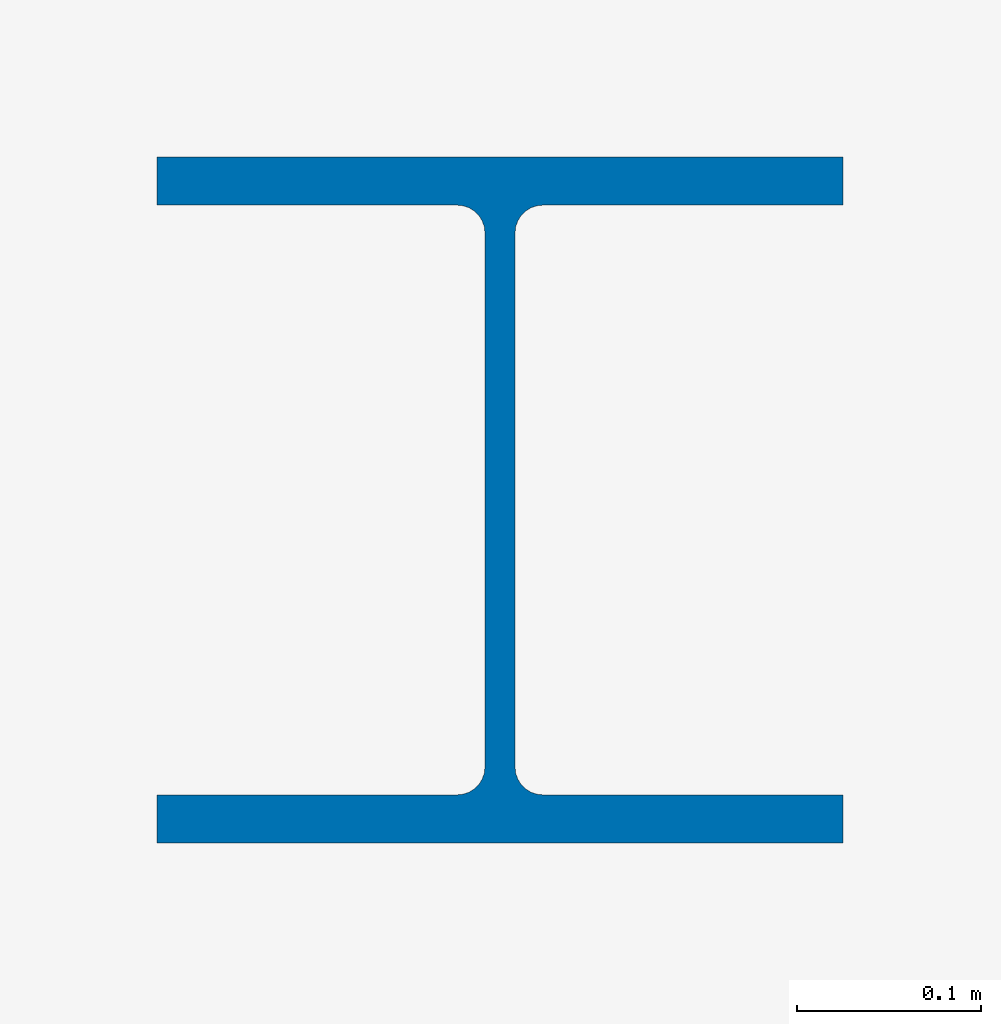
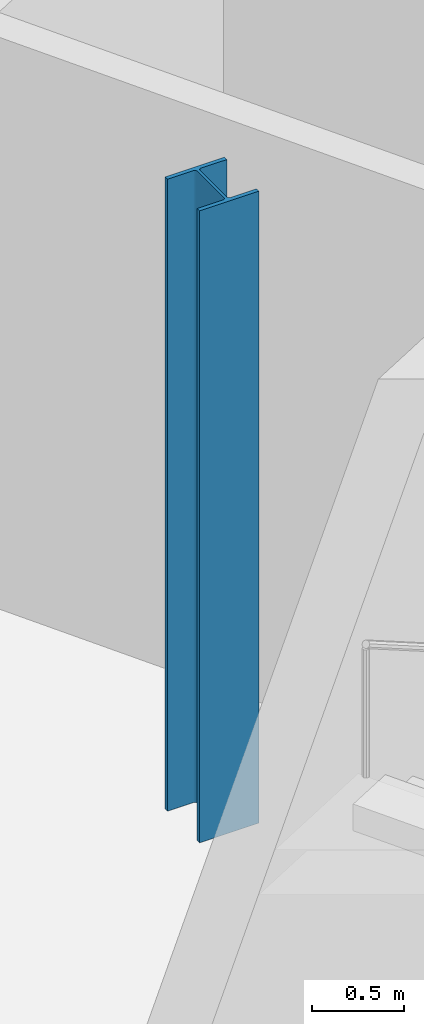
# One storey, part 1 of 16: 1 column.
"""IFC4 building model written with IfcOpenShell, lengths in metres."""

import ifcopenshell
import ifcopenshell.guid

model = None  # the IFC model being written
_history = None  # IfcOwnerHistory: only IFC2X3 demands one
_inside = {}  # id of a spatial element -> (the spatial element, [elements in it])
_under = {}  # id of a project, library or spatial element -> (it, [spatial elements below it])
_declared = {}  # id of a project -> (the project, [libraries it declares])
_typed = {}  # id of a type object -> (the type object, [elements of that type])
_made_of = {}  # id of a material, layer set ... -> (it, [elements and type objects made of it])


def new_model(schema):
    """Start an empty IFC model of exactly this schema.

    Asked for "IFC4X3", IfcOpenShell would pick the latest addendum, in which some entities
    have other attributes; the version numbers below select the first issue.
    IFC2X3 requires an IfcOwnerHistory on every rooted entity: one is made here for all.
    """
    global model, _history
    if schema == "IFC4X3":
        model = ifcopenshell.file(schema_version=(4, 3, 0, 0))
    else:
        model = ifcopenshell.file(schema=schema)
    _inside.clear()
    _under.clear()
    _declared.clear()
    _typed.clear()
    _made_of.clear()
    _history = None
    if model.schema == "IFC2X3":
        org = make("IfcOrganization", Name="unknown")
        user = make(
            "IfcPersonAndOrganization",
            ThePerson=make("IfcPerson", FamilyName="unknown"),
            TheOrganization=org,
        )
        app = make(
            "IfcApplication",
            ApplicationDeveloper=org,
            Version="unknown",
            ApplicationFullName="unknown",
            ApplicationIdentifier="unknown",
        )
        _history = make(
            "IfcOwnerHistory",
            OwningUser=user,
            OwningApplication=app,
            ChangeAction="ADDED",
            CreationDate=0,
        )
    return model


def make(cls, **values):
    """One entity of the class cls with the attributes given. An attribute that is None is left unset."""
    return model.create_entity(
        cls, **{name: value for name, value in values.items() if value is not None}
    )


def rooted(cls, **values):
    """An entity with a GlobalId (a new one), such as an element, a storey or a relation."""
    return make(cls, GlobalId=ifcopenshell.guid.new(), OwnerHistory=_history, **values)


def si_unit(unit_type, name, prefix=None):
    """IfcSIUnit, for example si_unit("LENGTHUNIT", "METRE", prefix="MILLI")."""
    return make("IfcSIUnit", UnitType=unit_type, Prefix=prefix, Name=name)


def assignment(units):
    """IfcUnitAssignment: the units of a project."""
    return None if units is None else make("IfcUnitAssignment", Units=units)


def point(xyz):
    """IfcCartesianPoint."""
    return None if xyz is None else make("IfcCartesianPoint", Coordinates=xyz)


def direction(xyz):
    """IfcDirection."""
    return None if xyz is None else make("IfcDirection", DirectionRatios=xyz)


def frame(location, z_axis=None, x_axis=None):
    """IfcAxis2Placement3D, a coordinate frame: its origin and axes. An axis left out is left unset."""
    return make(
        "IfcAxis2Placement3D",
        Location=point(location),
        Axis=direction(z_axis),
        RefDirection=direction(x_axis),
    )


def frame_2d(location, x_axis=None):
    """IfcAxis2Placement2D, a coordinate frame in the plane: its origin and x axis."""
    return make(
        "IfcAxis2Placement2D", Location=point(location), RefDirection=direction(x_axis)
    )


def origin():
    """The frame at (0, 0, 0) with its axes left unset."""
    return frame((0.0, 0.0, 0.0))


def origin_2d():
    """The frame at (0, 0) in the plane with its x axis left unset."""
    return frame_2d((0.0, 0.0))


def place(relative_to, where):
    """IfcLocalPlacement: puts the frame where relative to a parent placement (None: the world)."""
    return make(
        "IfcLocalPlacement", PlacementRelTo=relative_to, RelativePlacement=where
    )


def context(
    kind, dimensions, precision=None, world=None, true_north=None, identifier=None
):
    """IfcGeometricRepresentationContext, for example the 3D "Model" context."""
    return make(
        "IfcGeometricRepresentationContext",
        ContextIdentifier=identifier,
        ContextType=kind,
        CoordinateSpaceDimension=dimensions,
        Precision=precision,
        WorldCoordinateSystem=world,
        TrueNorth=true_north,
    )


def subcontext(parent, identifier, kind, view, scale=None):
    """IfcGeometricRepresentationSubContext, for example "Body" below "Model"."""
    return make(
        "IfcGeometricRepresentationSubContext",
        ContextIdentifier=identifier,
        ContextType=kind,
        ParentContext=parent,
        TargetScale=scale,
        TargetView=view,
    )


def project(units=None, contexts=None):
    """IfcProject with its units and contexts."""
    return rooted(
        "IfcProject",
        Name="project",
        RepresentationContexts=contexts,
        UnitsInContext=assignment(units),
    )


def spatial(cls, under=None, at=None, **own):
    """A site, building, storey or space (cls), placed at a placement, below another one or the project."""
    s = rooted(cls, ObjectPlacement=at, **own)
    if under is not None:
        _under.setdefault(under.id(), (under, []))[1].append(s)
    return s


def profile(cls, at=None, kind="AREA", **sizes):
    """A parametric profile (cls). Its sizes go by their IFC names, for example OverallWidth=200.0."""
    return make(cls, ProfileType=kind, Position=at, **sizes)


def i_section(**sizes):
    """IfcIShapeProfileDef."""
    return profile("IfcIShapeProfileDef", **sizes)


def extrude(swept, where, along, depth):
    """IfcExtrudedAreaSolid: the profile swept, set in the frame where, extruded along a direction by depth."""
    return make(
        "IfcExtrudedAreaSolid",
        SweptArea=swept,
        Position=where,
        ExtrudedDirection=direction(along),
        Depth=depth,
    )


def shape(context_of_items, identifier, shape_type, items):
    """IfcShapeRepresentation: the items that make up one representation, for example the "Body"."""
    return make(
        "IfcShapeRepresentation",
        ContextOfItems=context_of_items,
        RepresentationIdentifier=identifier,
        RepresentationType=shape_type,
        Items=items,
    )


def material(Name=None, Category=None):
    """IfcMaterial."""
    return make("IfcMaterial", Name=Name, Category=Category)


def material_profile(
    of_material, cross_section, Name=None, Category=None, Priority=None
):
    """IfcMaterialProfile: a cross section and its material."""
    return make(
        "IfcMaterialProfile",
        Name=Name,
        Material=of_material,
        Profile=cross_section,
        Priority=Priority,
        Category=Category,
    )


def profile_set(profiles, Name=None, composite=None):
    """IfcMaterialProfileSet."""
    return make(
        "IfcMaterialProfileSet",
        Name=Name,
        MaterialProfiles=profiles,
        CompositeProfile=composite,
    )


def made_of(thing, what):
    """Note that an element or type object is made of a material, layer set ...; save() writes the relation."""
    if what is not None:
        _made_of.setdefault(what.id(), (what, []))[1].append(thing)
    return thing


def type_object(cls, material=None, **own):
    """A type object (cls), such as IfcWallType, which elements share."""
    return made_of(rooted(cls, **own), material)


def element(
    cls,
    number,
    at=None,
    inside=None,
    cuts=None,
    type_object=None,
    material=None,
    context=None,
    identifier="Body",
    shape_type=None,
    held_by="IfcProductDefinitionShape",
    body=None,
    shapes=None,
    **own,
):
    """One element of the class cls, such as IfcWall. Its Tag is "e" and its number.

    at: its placement. inside: the storey or other place that contains it. cuts: it is an
    opening in that element (IfcRelVoidsElement). A single representation is given by context,
    identifier, shape_type and body (its items); several are given by shapes. held_by: the class
    of the entity that holds the representations. save() writes the other relations.
    """
    e = rooted(cls, Tag="e%d" % number, ObjectPlacement=at, **own)
    if body is not None:
        shapes = [shape(context, identifier, shape_type, body)]
    if shapes is not None:
        e.Representation = make(held_by, Representations=shapes)
    if inside is not None:
        _inside.setdefault(inside.id(), (inside, []))[1].append(e)
    if cuts is not None:
        rooted(
            "IfcRelVoidsElement", RelatingBuildingElement=cuts, RelatedOpeningElement=e
        )
    if type_object is not None:
        _typed.setdefault(type_object.id(), (type_object, []))[1].append(e)
    return made_of(e, material)


def aggregate(whole, parts):
    """IfcRelAggregates: a whole, such as a stair, and the parts it consists of."""
    return rooted("IfcRelAggregates", RelatingObject=whole, RelatedObjects=parts)


def save(model, path):
    """Write the relations noted so far, then the file.

    IfcRelAggregates (storeys below a building ...), IfcRelContainedInSpatialStructure (elements
    in a storey), IfcRelDefinesByType, IfcRelAssociatesMaterial and IfcRelDeclares: one each for
    every whole, place, type object, material and project.
    """
    for whole, parts in _under.values():
        aggregate(whole, parts)
    for where, things in _inside.values():
        rooted(
            "IfcRelContainedInSpatialStructure",
            RelatedElements=things,
            RelatingStructure=where,
        )
    for kind, things in _typed.values():
        rooted("IfcRelDefinesByType", RelatedObjects=things, RelatingType=kind)
    for what, things in _made_of.values():
        rooted("IfcRelAssociatesMaterial", RelatedObjects=things, RelatingMaterial=what)
    for by, libraries in _declared.values():
        rooted("IfcRelDeclares", RelatingContext=by, RelatedDefinitions=libraries)
    model.write(path)


model = new_model("IFC4")

# Units and contexts
model_context = context("Model", 3, precision=1e-05, world=origin(), true_north=direction((0.0, 1.0)))
body_context = subcontext(model_context, "Body", "Model", "MODEL_VIEW")
ifc_project = project(units=[si_unit("LENGTHUNIT", "METRE"), si_unit("AREAUNIT", "SQUARE_METRE"), si_unit("VOLUMEUNIT", "CUBIC_METRE"), si_unit("PLANEANGLEUNIT", "RADIAN"), si_unit("MASSUNIT", "GRAM", prefix="KILO")], contexts=[model_context])

# Site, building, storey
site_placement = place(None, origin())
site = spatial("IfcSite", under=ifc_project, at=site_placement, CompositionType="ELEMENT")
building_placement = place(site_placement, origin())
building = spatial("IfcBuilding", under=site, at=building_placement, Name="Cormorant Relay Tower", CompositionType="ELEMENT")
storey_placement = place(building_placement, frame((0.0, 0.0, 345.0)))
storey = spatial("IfcBuildingStorey", under=building, at=storey_placement, Name="C5", CompositionType="ELEMENT", Elevation=345.0)

# Column
ifc_material = material(Name="Steel ASTM A992 (Fy 345 MPa)", Category="steel")
ifc_material_profile = material_profile(ifc_material, i_section(OverallWidth=0.373291015625, OverallDepth=0.373291015625, WebThickness=0.016357421875, FlangeThickness=0.026123046875, FilletRadius=0.01513671875, at=origin_2d()), Name="W360x196")
ifc_profile_set = profile_set([ifc_material_profile], Name="Steel ASTM A992 (Fy 345 MPa)")
column_type = type_object("IfcColumnType", Name="Column W360x196", PredefinedType="COLUMN", material=ifc_profile_set)
column_placement = place(storey_placement, frame((-51.68994140625, 15.251953125, 0.0), z_axis=(0.0, 0.0, 1.0), x_axis=(1.0, 0.0, 0.0)))
element("IfcColumn", 1, at=column_placement, inside=storey, type_object=column_type, Name="Column C5-003", PredefinedType="COLUMN", context=body_context, shape_type="SweptSolid", body=[
    extrude(i_section(OverallWidth=0.373291015625, OverallDepth=0.373291015625, WebThickness=0.016357421875, FlangeThickness=0.026123046875, FilletRadius=0.01513671875, at=origin_2d()), origin(), (0.0, 0.0, 1.0), 4.199951171875),
])

save(model, "model.ifc")
